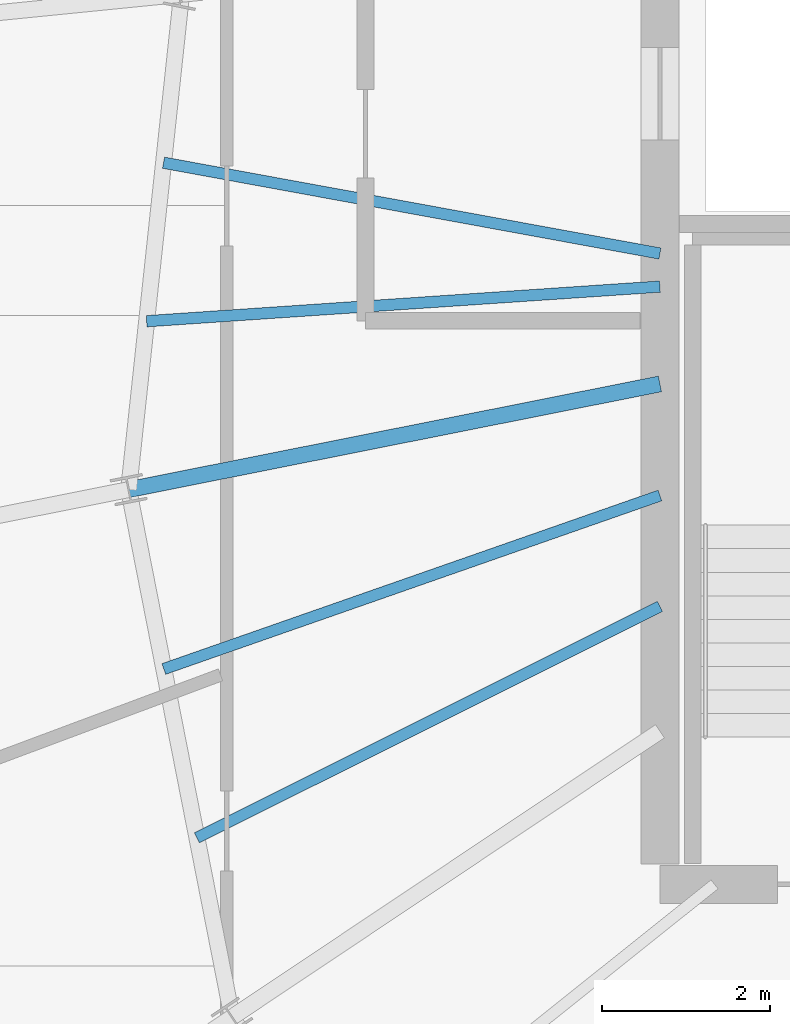
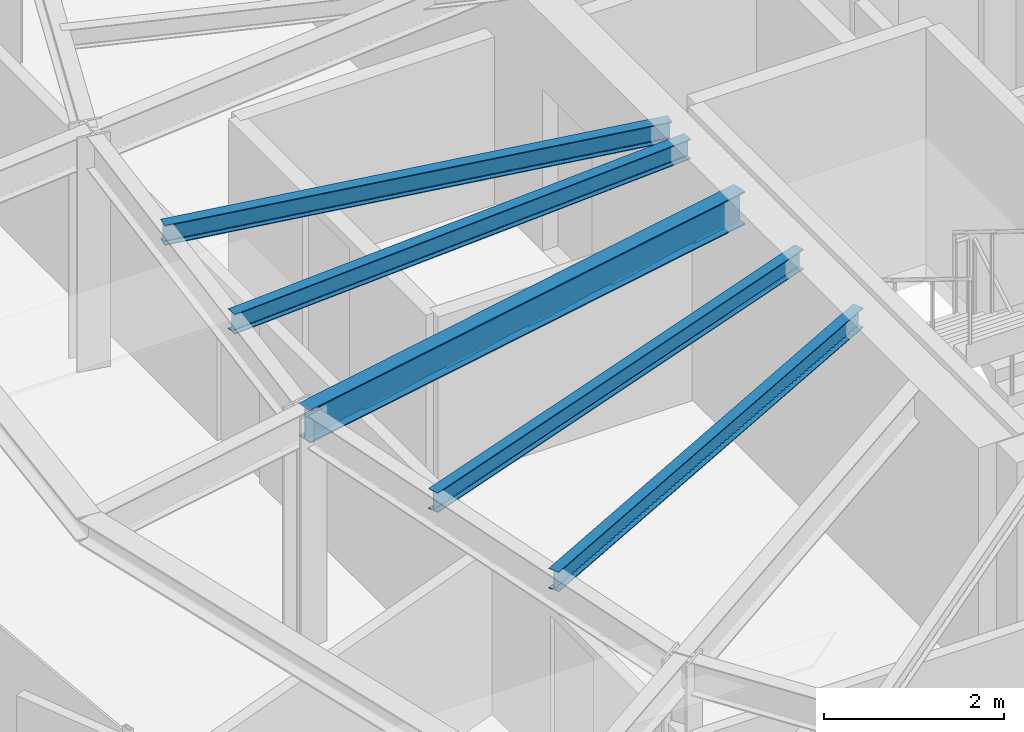
# One storey, part 10 of 33: 5 beams.
"""IFC4 building model written with IfcOpenShell, lengths in metres."""

import ifcopenshell
import ifcopenshell.guid

model = None  # the IFC model being written
_history = None  # IfcOwnerHistory: only IFC2X3 demands one
_inside = {}  # id of a spatial element -> (the spatial element, [elements in it])
_under = {}  # id of a project, library or spatial element -> (it, [spatial elements below it])
_declared = {}  # id of a project -> (the project, [libraries it declares])
_typed = {}  # id of a type object -> (the type object, [elements of that type])
_made_of = {}  # id of a material, layer set ... -> (it, [elements and type objects made of it])


def new_model(schema):
    """Start an empty IFC model of exactly this schema.

    Asked for "IFC4X3", IfcOpenShell would pick the latest addendum, in which some entities
    have other attributes; the version numbers below select the first issue.
    IFC2X3 requires an IfcOwnerHistory on every rooted entity: one is made here for all.
    """
    global model, _history
    if schema == "IFC4X3":
        model = ifcopenshell.file(schema_version=(4, 3, 0, 0))
    else:
        model = ifcopenshell.file(schema=schema)
    _inside.clear()
    _under.clear()
    _declared.clear()
    _typed.clear()
    _made_of.clear()
    _history = None
    if model.schema == "IFC2X3":
        org = make("IfcOrganization", Name="unknown")
        user = make(
            "IfcPersonAndOrganization",
            ThePerson=make("IfcPerson", FamilyName="unknown"),
            TheOrganization=org,
        )
        app = make(
            "IfcApplication",
            ApplicationDeveloper=org,
            Version="unknown",
            ApplicationFullName="unknown",
            ApplicationIdentifier="unknown",
        )
        _history = make(
            "IfcOwnerHistory",
            OwningUser=user,
            OwningApplication=app,
            ChangeAction="ADDED",
            CreationDate=0,
        )
    return model


def make(cls, **values):
    """One entity of the class cls with the attributes given. An attribute that is None is left unset."""
    return model.create_entity(
        cls, **{name: value for name, value in values.items() if value is not None}
    )


def rooted(cls, **values):
    """An entity with a GlobalId (a new one), such as an element, a storey or a relation."""
    return make(cls, GlobalId=ifcopenshell.guid.new(), OwnerHistory=_history, **values)


def si_unit(unit_type, name, prefix=None):
    """IfcSIUnit, for example si_unit("LENGTHUNIT", "METRE", prefix="MILLI")."""
    return make("IfcSIUnit", UnitType=unit_type, Prefix=prefix, Name=name)


def assignment(units):
    """IfcUnitAssignment: the units of a project."""
    return None if units is None else make("IfcUnitAssignment", Units=units)


def point(xyz):
    """IfcCartesianPoint."""
    return None if xyz is None else make("IfcCartesianPoint", Coordinates=xyz)


def direction(xyz):
    """IfcDirection."""
    return None if xyz is None else make("IfcDirection", DirectionRatios=xyz)


def frame(location, z_axis=None, x_axis=None):
    """IfcAxis2Placement3D, a coordinate frame: its origin and axes. An axis left out is left unset."""
    return make(
        "IfcAxis2Placement3D",
        Location=point(location),
        Axis=direction(z_axis),
        RefDirection=direction(x_axis),
    )


def frame_2d(location, x_axis=None):
    """IfcAxis2Placement2D, a coordinate frame in the plane: its origin and x axis."""
    return make(
        "IfcAxis2Placement2D", Location=point(location), RefDirection=direction(x_axis)
    )


def origin():
    """The frame at (0, 0, 0) with its axes left unset."""
    return frame((0.0, 0.0, 0.0))


def origin_2d():
    """The frame at (0, 0) in the plane with its x axis left unset."""
    return frame_2d((0.0, 0.0))


def place(relative_to, where):
    """IfcLocalPlacement: puts the frame where relative to a parent placement (None: the world)."""
    return make(
        "IfcLocalPlacement", PlacementRelTo=relative_to, RelativePlacement=where
    )


def context(
    kind, dimensions, precision=None, world=None, true_north=None, identifier=None
):
    """IfcGeometricRepresentationContext, for example the 3D "Model" context."""
    return make(
        "IfcGeometricRepresentationContext",
        ContextIdentifier=identifier,
        ContextType=kind,
        CoordinateSpaceDimension=dimensions,
        Precision=precision,
        WorldCoordinateSystem=world,
        TrueNorth=true_north,
    )


def subcontext(parent, identifier, kind, view, scale=None):
    """IfcGeometricRepresentationSubContext, for example "Body" below "Model"."""
    return make(
        "IfcGeometricRepresentationSubContext",
        ContextIdentifier=identifier,
        ContextType=kind,
        ParentContext=parent,
        TargetScale=scale,
        TargetView=view,
    )


def project(units=None, contexts=None):
    """IfcProject with its units and contexts."""
    return rooted(
        "IfcProject",
        Name="project",
        RepresentationContexts=contexts,
        UnitsInContext=assignment(units),
    )


def spatial(cls, under=None, at=None, **own):
    """A site, building, storey or space (cls), placed at a placement, below another one or the project."""
    s = rooted(cls, ObjectPlacement=at, **own)
    if under is not None:
        _under.setdefault(under.id(), (under, []))[1].append(s)
    return s


def profile(cls, at=None, kind="AREA", **sizes):
    """A parametric profile (cls). Its sizes go by their IFC names, for example OverallWidth=200.0."""
    return make(cls, ProfileType=kind, Position=at, **sizes)


def i_section(**sizes):
    """IfcIShapeProfileDef."""
    return profile("IfcIShapeProfileDef", **sizes)


def extrude(swept, where, along, depth):
    """IfcExtrudedAreaSolid: the profile swept, set in the frame where, extruded along a direction by depth."""
    return make(
        "IfcExtrudedAreaSolid",
        SweptArea=swept,
        Position=where,
        ExtrudedDirection=direction(along),
        Depth=depth,
    )


def shape(context_of_items, identifier, shape_type, items):
    """IfcShapeRepresentation: the items that make up one representation, for example the "Body"."""
    return make(
        "IfcShapeRepresentation",
        ContextOfItems=context_of_items,
        RepresentationIdentifier=identifier,
        RepresentationType=shape_type,
        Items=items,
    )


def source(mapping_origin, context_of_items, identifier, shape_type, items):
    """IfcRepresentationMap: a shape defined once, which mapped items show again and again."""
    return make(
        "IfcRepresentationMap",
        MappingOrigin=mapping_origin,
        MappedRepresentation=shape(context_of_items, identifier, shape_type, items),
    )


def transform(
    local_origin,
    x_axis=None,
    y_axis=None,
    z_axis=None,
    scale=None,
    scale2=None,
    scale3=None,
    uniform=True,
):
    """IfcCartesianTransformationOperator3D, or its non-uniform kind. x_axis, y_axis, z_axis: its Axis1, 2, 3."""
    if uniform:
        return make(
            "IfcCartesianTransformationOperator3D",
            Axis1=direction(x_axis),
            Axis2=direction(y_axis),
            LocalOrigin=point(local_origin),
            Scale=scale,
            Axis3=direction(z_axis),
        )
    return make(
        "IfcCartesianTransformationOperator3DnonUniform",
        Axis1=direction(x_axis),
        Axis2=direction(y_axis),
        LocalOrigin=point(local_origin),
        Scale=scale,
        Axis3=direction(z_axis),
        Scale2=scale2,
        Scale3=scale3,
    )


def mapped(mapping_source, mapping_target):
    """IfcMappedItem: shows the shape of a source again, moved by a transform."""
    return make(
        "IfcMappedItem", MappingSource=mapping_source, MappingTarget=mapping_target
    )


def material(Name=None, Category=None):
    """IfcMaterial."""
    return make("IfcMaterial", Name=Name, Category=Category)


def material_profile(
    of_material, cross_section, Name=None, Category=None, Priority=None
):
    """IfcMaterialProfile: a cross section and its material."""
    return make(
        "IfcMaterialProfile",
        Name=Name,
        Material=of_material,
        Profile=cross_section,
        Priority=Priority,
        Category=Category,
    )


def profile_set(profiles, Name=None, composite=None):
    """IfcMaterialProfileSet."""
    return make(
        "IfcMaterialProfileSet",
        Name=Name,
        MaterialProfiles=profiles,
        CompositeProfile=composite,
    )


def made_of(thing, what):
    """Note that an element or type object is made of a material, layer set ...; save() writes the relation."""
    if what is not None:
        _made_of.setdefault(what.id(), (what, []))[1].append(thing)
    return thing


def type_object(cls, material=None, **own):
    """A type object (cls), such as IfcWallType, which elements share."""
    return made_of(rooted(cls, **own), material)


def element(
    cls,
    number,
    at=None,
    inside=None,
    cuts=None,
    type_object=None,
    material=None,
    context=None,
    identifier="Body",
    shape_type=None,
    held_by="IfcProductDefinitionShape",
    body=None,
    shapes=None,
    **own,
):
    """One element of the class cls, such as IfcWall. Its Tag is "e" and its number.

    at: its placement. inside: the storey or other place that contains it. cuts: it is an
    opening in that element (IfcRelVoidsElement). A single representation is given by context,
    identifier, shape_type and body (its items); several are given by shapes. held_by: the class
    of the entity that holds the representations. save() writes the other relations.
    """
    e = rooted(cls, Tag="e%d" % number, ObjectPlacement=at, **own)
    if body is not None:
        shapes = [shape(context, identifier, shape_type, body)]
    if shapes is not None:
        e.Representation = make(held_by, Representations=shapes)
    if inside is not None:
        _inside.setdefault(inside.id(), (inside, []))[1].append(e)
    if cuts is not None:
        rooted(
            "IfcRelVoidsElement", RelatingBuildingElement=cuts, RelatedOpeningElement=e
        )
    if type_object is not None:
        _typed.setdefault(type_object.id(), (type_object, []))[1].append(e)
    return made_of(e, material)


def aggregate(whole, parts):
    """IfcRelAggregates: a whole, such as a stair, and the parts it consists of."""
    return rooted("IfcRelAggregates", RelatingObject=whole, RelatedObjects=parts)


def save(model, path):
    """Write the relations noted so far, then the file.

    IfcRelAggregates (storeys below a building ...), IfcRelContainedInSpatialStructure (elements
    in a storey), IfcRelDefinesByType, IfcRelAssociatesMaterial and IfcRelDeclares: one each for
    every whole, place, type object, material and project.
    """
    for whole, parts in _under.values():
        aggregate(whole, parts)
    for where, things in _inside.values():
        rooted(
            "IfcRelContainedInSpatialStructure",
            RelatedElements=things,
            RelatingStructure=where,
        )
    for kind, things in _typed.values():
        rooted("IfcRelDefinesByType", RelatedObjects=things, RelatingType=kind)
    for what, things in _made_of.values():
        rooted("IfcRelAssociatesMaterial", RelatedObjects=things, RelatingMaterial=what)
    for by, libraries in _declared.values():
        rooted("IfcRelDeclares", RelatingContext=by, RelatedDefinitions=libraries)
    model.write(path)


model = new_model("IFC4")

# Units and contexts
model_context = context("Model", 3, precision=1e-05, world=origin(), true_north=direction((0.0, 1.0)))
body_context = subcontext(model_context, "Body", "Model", "MODEL_VIEW")
ifc_project = project(units=[si_unit("LENGTHUNIT", "METRE"), si_unit("AREAUNIT", "SQUARE_METRE"), si_unit("VOLUMEUNIT", "CUBIC_METRE"), si_unit("PLANEANGLEUNIT", "RADIAN"), si_unit("MASSUNIT", "GRAM", prefix="KILO"), si_unit("THERMODYNAMICTEMPERATUREUNIT", "KELVIN")], contexts=[model_context])

# Site, building, storey
site_placement = place(None, origin())
site = spatial("IfcSite", under=ifc_project, at=site_placement, CompositionType="ELEMENT")
building_placement = place(site_placement, origin())
building = spatial("IfcBuilding", under=site, at=building_placement, Name="Kethvar Cultural Tower", CompositionType="ELEMENT")
storey_placement = place(building_placement, frame((0.0, 0.0, 256.0)))
storey = spatial("IfcBuildingStorey", under=building, at=storey_placement, Name="L67", CompositionType="ELEMENT", Elevation=256.0)

# Beams
ifc_material = material(Name="Steel S355J2", Category="steel")
ifc_material_profile_1 = material_profile(ifc_material, i_section(OverallWidth=0.18994140625, OverallDepth=0.449951171875, WebThickness=0.009521484375, FlangeThickness=0.0146484375, FilletRadius=0.02099609375, at=origin_2d()), Name="Steel S355J2 — IPE450")
ifc_profile_set_1 = profile_set([ifc_material_profile_1], Name="Steel S355J2 — IPE450")
beam_type_1 = type_object("IfcBeamType", Name="BM-IPE450", PredefinedType="BEAM", material=ifc_profile_set_1)
shared_shape_1 = source(origin(), body_context, "Body", "SweptSolid", [
    extrude(i_section(OverallWidth=0.18994140625, OverallDepth=0.449951171875, WebThickness=0.009521484375, FlangeThickness=0.0146484375, FilletRadius=0.02099609375, at=origin_2d()), origin(), (0.0, 0.0, 1.0), 6.440673828125),
])
beam_1_placement = place(storey_placement, frame((38.0, 26.049560546875, 2.98291015625), z_axis=(-0.980782804096, -0.195102770839, 0.0), x_axis=(0.195102770839, -0.980782804096, 0.0)))
element("IfcBeam", 1, at=beam_1_placement, inside=storey, type_object=beam_type_1, Name="L67 Primary Radial Beam RB-09", PredefinedType="BEAM", context=body_context, shape_type="MappedRepresentation", body=[
    mapped(shared_shape_1, transform((0.0, 0.0, 0.0), scale=1.0)),
])
ifc_material_profile_2 = material_profile(ifc_material, i_section(OverallWidth=0.135009765625, OverallDepth=0.27001953125, WebThickness=0.006591796875, FlangeThickness=0.01025390625, FilletRadius=0.014892578125, at=origin_2d()), Name="Steel S355J2 — IPE270")
ifc_profile_set_2 = profile_set([ifc_material_profile_2], Name="Steel S355J2 — IPE270")
beam_type_2 = type_object("IfcBeamType", Name="BM-J270", PredefinedType="JOIST", material=ifc_profile_set_2)
shared_shape_2 = source(origin(), body_context, "Body", "SweptSolid", [
    extrude(i_section(OverallWidth=0.135009765625, OverallDepth=0.27001953125, WebThickness=0.006591796875, FlangeThickness=0.01025390625, FilletRadius=0.014892578125, at=origin_2d()), origin(), (0.0, 0.0, 1.0), 5.99951171875),
])
beam_2_placement = place(storey_placement, frame((38.0, 27.60009765625, 3.072998046875), z_axis=(-0.983676616141, 0.179945310742, 0.0), x_axis=(-0.179945310742, -0.983676616141, 0.0)))
element("IfcBeam", 2, at=beam_2_placement, inside=storey, type_object=beam_type_2, Name="L67 Composite Floor Joist J-08A", PredefinedType="JOIST", context=body_context, shape_type="MappedRepresentation", body=[
    mapped(shared_shape_2, transform((0.0, 0.0, 0.0), scale=1.0)),
])
shared_shape_3 = source(origin(), body_context, "Body", "SweptSolid", [
    extrude(i_section(OverallWidth=0.135009765625, OverallDepth=0.27001953125, WebThickness=0.006591796875, FlangeThickness=0.01025390625, FilletRadius=0.014892578125, at=origin_2d()), origin(), (0.0, 0.0, 1.0), 6.116943359375),
])
beam_3_placement = place(storey_placement, frame((38.0, 27.206787109375, 3.072998046875), z_axis=(-0.997733289627, -0.067292516454, 0.0), x_axis=(0.067292516454, -0.997733289627, 0.0)))
element("IfcBeam", 3, at=beam_3_placement, inside=storey, type_object=beam_type_2, Name="L67 Composite Floor Joist J-08B", PredefinedType="JOIST", context=body_context, shape_type="MappedRepresentation", body=[
    mapped(shared_shape_3, transform((0.0, 0.0, 0.0), scale=1.0)),
])
shared_shape_4 = source(origin(), body_context, "Body", "SweptSolid", [
    extrude(i_section(OverallWidth=0.135009765625, OverallDepth=0.27001953125, WebThickness=0.006591796875, FlangeThickness=0.01025390625, FilletRadius=0.014892578125, at=origin_2d()), origin(), (0.0, 0.0, 1.0), 6.248779296875),
])
beam_4_placement = place(storey_placement, frame((38.0, 24.722900390625, 3.072998046875), z_axis=(-0.943960031743, -0.330059780148, 0.0), x_axis=(0.330059780148, -0.943960031743, 0.0)))
element("IfcBeam", 4, at=beam_4_placement, inside=storey, type_object=beam_type_2, Name="L67 Composite Floor Joist J-09A", PredefinedType="JOIST", context=body_context, shape_type="MappedRepresentation", body=[
    mapped(shared_shape_4, transform((0.0, 0.0, 0.0), scale=1.0)),
])
shared_shape_5 = source(origin(), body_context, "Body", "SweptSolid", [
    extrude(i_section(OverallWidth=0.135009765625, OverallDepth=0.27001953125, WebThickness=0.006591796875, FlangeThickness=0.01025390625, FilletRadius=0.014892578125, at=origin_2d()), origin(), (0.0, 0.0, 1.0), 6.154052734375),
])
beam_5_placement = place(storey_placement, frame((38.0, 23.40380859375, 3.072998046875), z_axis=(-0.89458581954, -0.446896197655, 0.0), x_axis=(0.446896197655, -0.89458581954, 0.0)))
element("IfcBeam", 5, at=beam_5_placement, inside=storey, type_object=beam_type_2, Name="L67 Composite Floor Joist J-09B", PredefinedType="JOIST", context=body_context, shape_type="MappedRepresentation", body=[
    mapped(shared_shape_5, transform((0.0, 0.0, 0.0), scale=1.0)),
])

save(model, "model.ifc")
